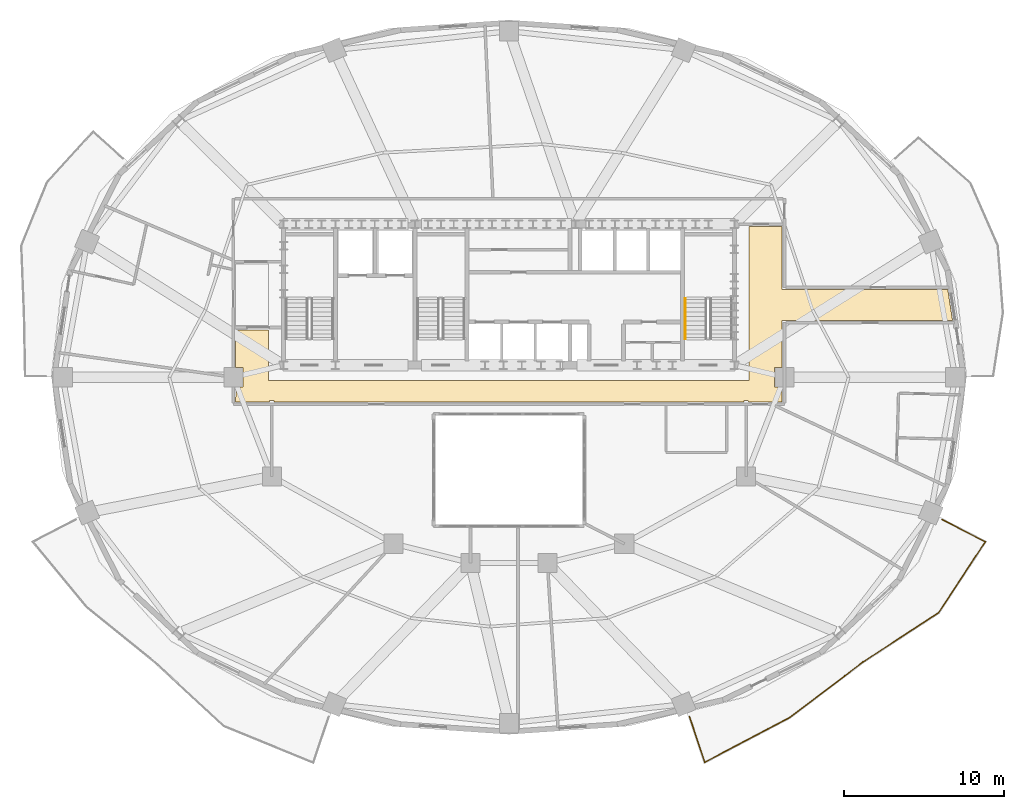
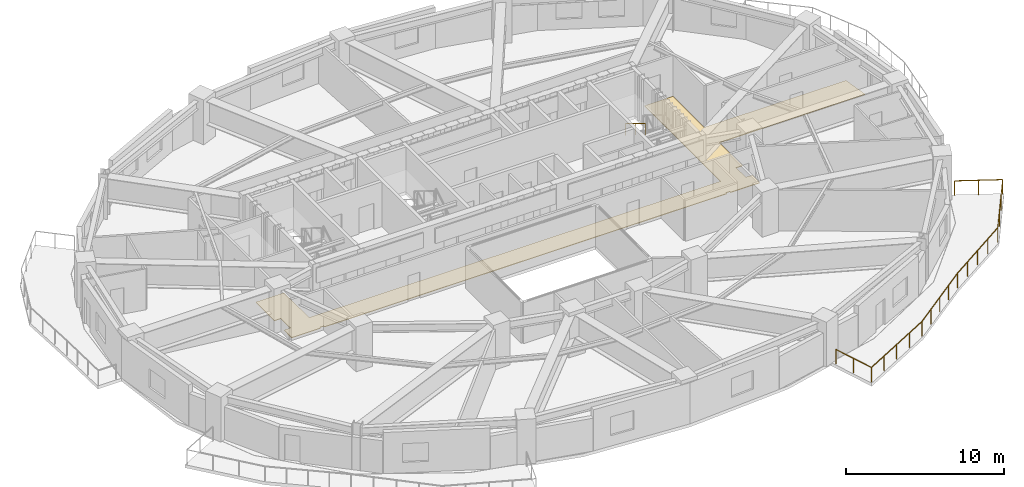
# One storey, part 12 of 13: 2 railings, 1 covering.
"""IFC4 building model written with IfcOpenShell, lengths in metres."""

from ifc_helpers import new_model, si_unit, direction, frame, origin, origin_2d, place, context, subcontext, project, spatial, polyline, rectangle, outline, extrude, material, layer, layer_set, type_object, element, save


model = new_model("IFC4")

# Units and contexts
model_context = context("Model", 3, precision=1e-05, world=origin(), true_north=direction((0.0, 1.0)))
body_context = subcontext(model_context, "Body", "Model", "MODEL_VIEW")
ifc_project = project(units=[si_unit("LENGTHUNIT", "METRE"), si_unit("AREAUNIT", "SQUARE_METRE"), si_unit("VOLUMEUNIT", "CUBIC_METRE"), si_unit("PLANEANGLEUNIT", "RADIAN"), si_unit("MASSUNIT", "GRAM", prefix="KILO")], contexts=[model_context])

# Site, building, storey
site_placement = place(None, origin())
site = spatial("IfcSite", under=ifc_project, at=site_placement, CompositionType="ELEMENT")
building_placement = place(site_placement, origin())
building = spatial("IfcBuilding", under=site, at=building_placement, Name="Haldorwick Loom Tower", CompositionType="ELEMENT")
storey_placement = place(building_placement, frame((0.0, 0.0, 127.699951171875)))
storey = spatial("IfcBuildingStorey", under=building, at=storey_placement, Name="L34", CompositionType="ELEMENT", Elevation=127.699951171875)

# Covering
ifc_material_1 = material(Name="Polished Aggregate Terrazzo Finish")
ifc_layer = layer(ifc_material_1, 0.044921875, Name="Polished Aggregate Terrazzo Finish")
ifc_layer_set = layer_set([ifc_layer], Name="Polished Aggregate Terrazzo Finish")
covering_type = type_object("IfcCoveringType", Name="ARC-COV-FLOOR2", PredefinedType="FLOORING", material=ifc_layer_set)
covering_placement = place(storey_placement, origin())
element("IfcCovering", 1, at=covering_placement, inside=storey, type_object=covering_type, Name="L34 Floor Finish 1", PredefinedType="FLOORING", context=body_context, shape_type="SweptSolid", body=[
    extrude(outline(polyline([(18.93994140625, 26.60791015625), (19.407958984375, 26.60791015625), (19.407958984375, 25.39208984375), (18.948974609375, 25.39208984375), (18.940185546875, 24.43994140625), (21.06005859375, 24.43994140625), (21.06005859375, 24.52001953125), (21.06005859375, 24.52197265625), (21.060302734375, 24.52392578125), (21.060791015625, 24.52587890625), (21.0615234375, 24.527587890625), (21.0625, 24.529296875), (21.0634765625, 24.531005859375), (21.064453125, 24.53271484375), (21.06591796875, 24.5341796875), (21.0673828125, 24.535400390625), (21.06884765625, 24.53662109375), (21.070556640625, 24.53759765625), (21.072265625, 24.53857421875), (21.07421875, 24.5390625), (21.076171875, 24.53955078125), (21.077880859375, 24.539794921875), (21.080078125, 24.5400390625), (21.320068359375, 24.5400390625), (21.322021484375, 24.539794921875), (21.323974609375, 24.53955078125), (21.32568359375, 24.5390625), (21.32763671875, 24.53857421875), (21.329345703125, 24.53759765625), (21.3310546875, 24.53662109375), (21.332763671875, 24.535400390625), (21.333984375, 24.5341796875), (21.33544921875, 24.53271484375), (21.336669921875, 24.531005859375), (21.337646484375, 24.529296875), (21.33837890625, 24.527587890625), (21.339111328125, 24.52587890625), (21.339599609375, 24.52392578125), (21.33984375, 24.52197265625), (21.340087890625, 24.52001953125), (21.340087890625, 24.43994140625), (50.659912109375, 24.43994140625), (50.659912109375, 24.52001953125), (50.66015625, 24.52197265625), (50.660400390625, 24.52392578125), (50.660888671875, 24.52587890625), (50.66162109375, 24.527587890625), (50.662353515625, 24.529296875), (50.663330078125, 24.531005859375), (50.66455078125, 24.53271484375), (50.666015625, 24.5341796875), (50.667236328125, 24.535400390625), (50.6689453125, 24.53662109375), (50.670654296875, 24.53759765625), (50.67236328125, 24.53857421875), (50.67431640625, 24.5390625), (50.676025390625, 24.53955078125), (50.677978515625, 24.539794921875), (50.679931640625, 24.5400390625), (50.919921875, 24.5400390625), (50.922119140625, 24.539794921875), (50.923828125, 24.53955078125), (50.92578125, 24.5390625), (50.927734375, 24.53857421875), (50.929443359375, 24.53759765625), (50.93115234375, 24.53662109375), (50.9326171875, 24.535400390625), (50.93408203125, 24.5341796875), (50.935546875, 24.53271484375), (50.9365234375, 24.531005859375), (50.9375, 24.529296875), (50.9384765625, 24.527587890625), (50.939208984375, 24.52587890625), (50.939697265625, 24.52392578125), (50.93994140625, 24.52197265625), (50.93994140625, 24.52001953125), (50.93994140625, 24.43994140625), (53.06005859375, 24.43994140625), (53.06005859375, 25.39208984375), (52.592041015625, 25.39208984375), (52.592041015625, 26.60791015625), (53.06005859375, 26.60791015625), (53.06005859375, 29.52001953125), (53.06005859375, 29.52197265625), (53.060302734375, 29.52392578125), (53.060791015625, 29.52587890625), (53.0615234375, 29.527587890625), (53.0625, 29.529296875), (53.0634765625, 29.531005859375), (53.064453125, 29.53271484375), (53.06591796875, 29.5341796875), (53.0673828125, 29.535400390625), (53.06884765625, 29.53662109375), (53.070556640625, 29.53759765625), (53.072265625, 29.53857421875), (53.07421875, 29.5390625), (53.076171875, 29.53955078125), (53.077880859375, 29.539794921875), (53.080078125, 29.5400390625), (63.69140625, 29.5400390625), (63.398681640625, 31.4599609375), (53.080078125, 31.4599609375), (53.077880859375, 31.460205078125), (53.076171875, 31.46044921875), (53.07421875, 31.4609375), (53.072265625, 31.46142578125), (53.070556640625, 31.46240234375), (53.06884765625, 31.46337890625), (53.0673828125, 31.464599609375), (53.06591796875, 31.4658203125), (53.064453125, 31.46728515625), (53.0634765625, 31.468994140625), (53.0625, 31.470703125), (53.0615234375, 31.472412109375), (53.060791015625, 31.47412109375), (53.060302734375, 31.47607421875), (53.06005859375, 31.47802734375), (53.06005859375, 31.47998046875), (53.06005859375, 35.409912109375), (51.0, 35.409912109375), (51.0, 25.800048828125), (21.0, 25.800048828125), (21.0, 28.9599609375), (18.93994140625, 28.9599609375), (18.93994140625, 26.60791015625)])), origin(), (0.0, 0.0, 1.0), 0.045166015625),
])

# Railings
ifc_material_2 = material(Name="Galvanized Steel CSA G40.21 350W", Category="steel")
railing_type_1 = type_object("IfcRailingType", Name="ARC-RLG-BAL115", PredefinedType="BALUSTRADE", material=ifc_material_2)
railing_1_placement = place(storey_placement, frame((63.02685546875, 17.119384765625, 0.0)))
element("IfcRailing", 2, at=railing_1_placement, inside=storey, type_object=railing_type_1, Name="L34 Outdoor Terrace Guardrail SLB-L34-BAL_SE-1", PredefinedType="BALUSTRADE", context=body_context, shape_type="SweptSolid", body=[
    extrude(rectangle(XDim=0.048095703125, YDim=0.048095703125, at=origin_2d()), frame((0.0, 0.0, 1.1259765625), z_axis=(0.888432989671, -0.459006342945, 0.0), x_axis=(0.459006342945, 0.888432989671, 0.0)), (0.0, 0.0, 1.0), 3.045654296875),
    extrude(rectangle(XDim=0.048095703125, YDim=0.048095703125, at=origin_2d()), frame((2.705810546875, -1.39794921875, 1.1259765625), z_axis=(-0.549470137469, -0.835513355985, 0.0), x_axis=(0.835513355985, -0.549470137469, 0.0)), (0.0, 0.0, 1.0), 5.30029296875),
    extrude(rectangle(XDim=0.048095703125, YDim=0.048095703125, at=origin_2d()), frame((-0.20654296875, -5.826416015625, 1.1259765625), z_axis=(-0.837736975185, -0.546073951409, 0.0), x_axis=(0.546073951409, -0.837736975185, 0.0)), (0.0, 0.0, 1.0), 5.610107421875),
    extrude(rectangle(XDim=0.048095703125, YDim=0.048095703125, at=origin_2d()), frame((-4.90625, -8.889892578125, 1.1259765625), z_axis=(-0.82530726125, -0.564683915592, 0.0), x_axis=(0.564683915592, -0.82530726125, 0.0)), (0.0, 0.0, 1.0), 0.005615234375),
    extrude(rectangle(XDim=0.048095703125, YDim=0.048095703125, at=origin_2d()), frame((-4.910888671875, -8.89306640625, 1.1259765625), z_axis=(-0.797500988001, -0.603317639504, 0.0), x_axis=(0.603317639504, -0.797500988001, 0.0)), (0.0, 0.0, 1.0), 5.772216796875),
    extrude(rectangle(XDim=0.048095703125, YDim=0.048095703125, at=origin_2d()), frame((-9.51416015625, -12.37548828125, 1.1259765625), z_axis=(-0.884874827722, -0.465828873369, 0.0), x_axis=(0.465828873369, -0.884874827722, 0.0)), (0.0, 0.0, 1.0), 5.98046875),
    extrude(rectangle(XDim=0.048095703125, YDim=0.048095703125, at=origin_2d()), frame((-14.80615234375, -15.161376953125, 1.1259765625), z_axis=(-0.316447343212, 0.948610077415, 0.0), x_axis=(-0.948610077415, -0.316447343212, 0.0)), (0.0, 0.0, 1.0), 3.001953125),
    extrude(rectangle(XDim=0.0419921875, YDim=0.0419921875, at=origin_2d()), origin(), (0.0, 0.0, 1.0), 1.101806640625),
    extrude(rectangle(XDim=0.0419921875, YDim=0.0419921875, at=origin_2d()), frame((1.35302734375, -0.698974609375, 0.0)), (0.0, 0.0, 1.0), 1.101806640625),
    extrude(rectangle(XDim=0.0419921875, YDim=0.0419921875, at=origin_2d()), frame((2.705810546875, -1.39794921875, 0.0)), (0.0, 0.0, 1.0), 1.101806640625),
    extrude(rectangle(XDim=0.0419921875, YDim=0.0419921875, at=origin_2d()), frame((1.735107421875, -2.8740234375, 0.0)), (0.0, 0.0, 1.0), 1.101806640625),
    extrude(rectangle(XDim=0.0419921875, YDim=0.0419921875, at=origin_2d()), frame((0.76416015625, -4.350341796875, 0.0)), (0.0, 0.0, 1.0), 1.101806640625),
    extrude(rectangle(XDim=0.0419921875, YDim=0.0419921875, at=origin_2d()), frame((-0.20654296875, -5.826416015625, 0.0)), (0.0, 0.0, 1.0), 1.101806640625),
    extrude(rectangle(XDim=0.0419921875, YDim=0.0419921875, at=origin_2d()), frame((-1.38134765625, -6.59228515625, 0.0)), (0.0, 0.0, 1.0), 1.101806640625),
    extrude(rectangle(XDim=0.0419921875, YDim=0.0419921875, at=origin_2d()), frame((-2.556396484375, -7.358154296875, 0.0)), (0.0, 0.0, 1.0), 1.101806640625),
    extrude(rectangle(XDim=0.0419921875, YDim=0.0419921875, at=origin_2d()), frame((-3.7314453125, -8.1240234375, 0.0)), (0.0, 0.0, 1.0), 1.101806640625),
    extrude(rectangle(XDim=0.0419921875, YDim=0.0419921875, at=origin_2d()), frame((-4.90625, -8.889892578125, 0.0)), (0.0, 0.0, 1.0), 1.101806640625),
    extrude(rectangle(XDim=0.0419921875, YDim=0.0419921875, at=origin_2d()), frame((-6.061767578125, -9.763671875, 0.0)), (0.0, 0.0, 1.0), 1.101806640625),
    extrude(rectangle(XDim=0.0419921875, YDim=0.0419921875, at=origin_2d()), frame((-7.21240234375, -10.63427734375, 0.0)), (0.0, 0.0, 1.0), 1.101806640625),
    extrude(rectangle(XDim=0.0419921875, YDim=0.0419921875, at=origin_2d()), frame((-8.36328125, -11.5048828125, 0.0)), (0.0, 0.0, 1.0), 1.101806640625),
    extrude(rectangle(XDim=0.0419921875, YDim=0.0419921875, at=origin_2d()), frame((-9.51416015625, -12.37548828125, 0.0)), (0.0, 0.0, 1.0), 1.101806640625),
    extrude(rectangle(XDim=0.0419921875, YDim=0.0419921875, at=origin_2d()), frame((-10.837158203125, -13.072021484375, 0.0)), (0.0, 0.0, 1.0), 1.101806640625),
    extrude(rectangle(XDim=0.0419921875, YDim=0.0419921875, at=origin_2d()), frame((-12.16015625, -13.7685546875, 0.0)), (0.0, 0.0, 1.0), 1.101806640625),
    extrude(rectangle(XDim=0.0419921875, YDim=0.0419921875, at=origin_2d()), frame((-13.483154296875, -14.46484375, 0.0)), (0.0, 0.0, 1.0), 1.101806640625),
    extrude(rectangle(XDim=0.0419921875, YDim=0.0419921875, at=origin_2d()), frame((-14.80615234375, -15.161376953125, 0.0)), (0.0, 0.0, 1.0), 1.101806640625),
    extrude(rectangle(XDim=0.0419921875, YDim=0.0419921875, at=origin_2d()), frame((-15.28125, -13.737548828125, 0.0)), (0.0, 0.0, 1.0), 1.101806640625),
    extrude(rectangle(XDim=0.0419921875, YDim=0.0419921875, at=origin_2d()), frame((-15.756103515625, -12.313720703125, 0.0)), (0.0, 0.0, 1.0), 1.101806640625),
])
ifc_material_3 = material(Name="Steel CSA G40.21 350W", Category="steel")
railing_type_2 = type_object("IfcRailingType", Name="ARC-RLG-HAND092", PredefinedType="HANDRAIL", material=ifc_material_3)
railing_2_placement = place(storey_placement, frame((47.0, 30.919921875, 1.8974609375)))
element("IfcRailing", 3, at=railing_2_placement, inside=storey, type_object=railing_type_2, Name="L34 ST-02 stair handrail 2", PredefinedType="HANDRAIL", context=body_context, shape_type="SweptSolid", body=[
    extrude(rectangle(XDim=0.048095703125, YDim=0.048095703125, at=origin_2d()), frame((0.0, 0.0, 0.8759765625), z_axis=(0.0, -0.851400495292, 0.524516154772), x_axis=(1.0, 0.0, 0.0)), (0.0, 0.0, 1.0), 2.9599609375),
    extrude(rectangle(XDim=0.0419921875, YDim=0.0419921875, at=origin_2d()), origin(), (0.0, 0.0, 1.0), 0.851806640625),
    extrude(rectangle(XDim=0.0419921875, YDim=0.0419921875, at=origin_2d()), frame((0.0, -1.260009765625, 0.7763671875)), (0.0, 0.0, 1.0), 0.851806640625),
    extrude(rectangle(XDim=0.0419921875, YDim=0.0419921875, at=origin_2d()), frame((0.0, -2.52001953125, 1.552490234375)), (0.0, 0.0, 1.0), 0.851806640625),
])

save(model, "model.ifc")
